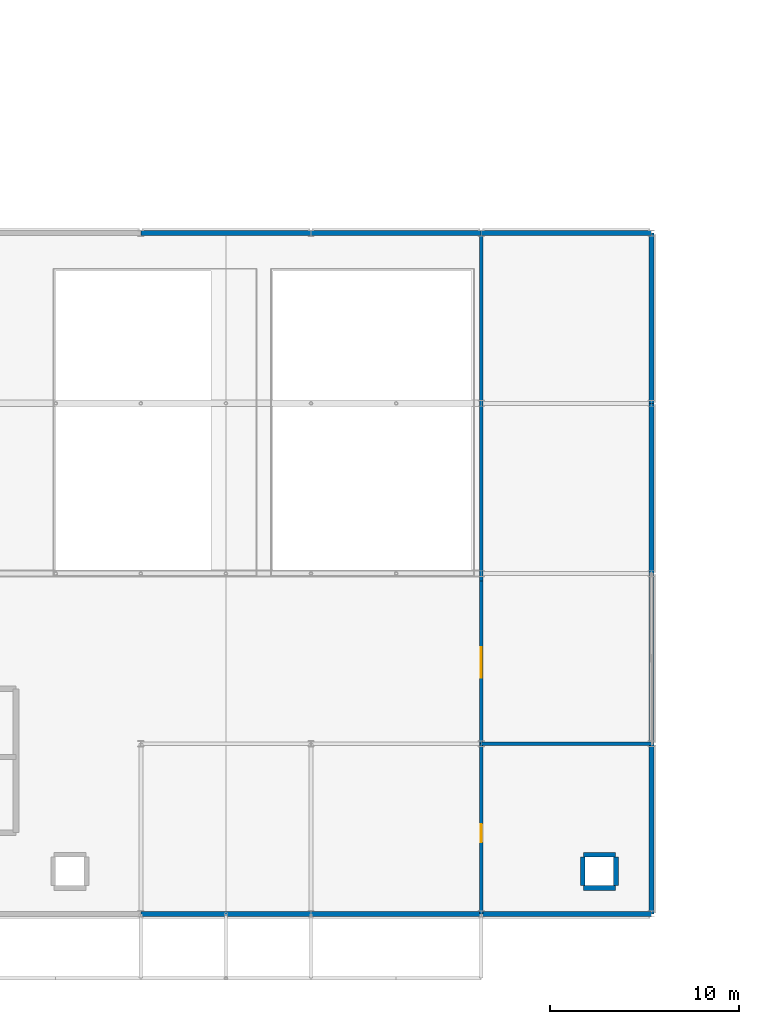
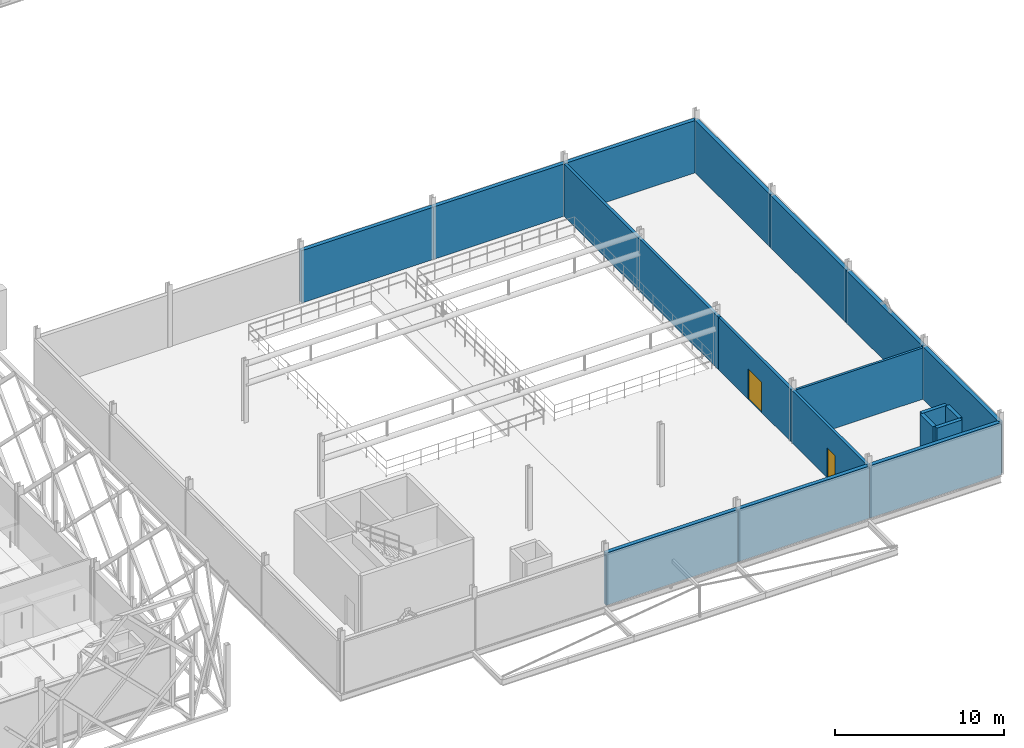
# One storey, part 93 of 140: 18 walls, 2 doors, 2 openings.
"""IFC4 building model written with IfcOpenShell, lengths in metres."""

from ifc_helpers import new_model, si_unit, direction, frame, frame_2d, origin, place, context, subcontext, project, spatial, rectangle, extrude, material, layer, layer_set, type_object, element, fill, save


model = new_model("IFC4")

# Units and contexts
model_context = context("Model", 3, precision=1e-05, world=origin(), true_north=direction((0.0, 1.0)))
body_context = subcontext(model_context, "Body", "Model", "MODEL_VIEW")
ifc_project = project(units=[si_unit("LENGTHUNIT", "METRE"), si_unit("AREAUNIT", "SQUARE_METRE"), si_unit("VOLUMEUNIT", "CUBIC_METRE"), si_unit("PLANEANGLEUNIT", "RADIAN"), si_unit("MASSUNIT", "GRAM", prefix="KILO"), si_unit("THERMODYNAMICTEMPERATUREUNIT", "KELVIN"), si_unit("POWERUNIT", "WATT")], contexts=[model_context])

# Site, building, storey
site_placement = place(None, origin())
site = spatial("IfcSite", under=ifc_project, at=site_placement, CompositionType="ELEMENT")
building_placement = place(site_placement, origin())
building = spatial("IfcBuilding", under=site, at=building_placement, Name="Tallowbark Science Centre", CompositionType="ELEMENT")
storey_placement = place(building_placement, frame((0.0, 0.0, 9.89990234375)))
storey = spatial("IfcBuildingStorey", under=building, at=storey_placement, Name="L02", CompositionType="ELEMENT", Elevation=9.89990234375)

# Walls
ifc_material_1 = material(Name="Insulated Ribbed Precast Concrete Panel Grade N40 (40 MPa)", Category="concrete")
ifc_layer_1 = layer(ifc_material_1, 0.264892578125)
ifc_layer_set_1 = layer_set([ifc_layer_1], Name="Insulated Ribbed Precast Concrete Panel Grade N40 (40 MPa)")
wall_type_1 = type_object("IfcWallType", Name="EWL-PRC-265", PredefinedType="STANDARD", material=ifc_layer_set_1)
for number, where, z_axis, x_axis, name in (
    (1, (130.5, 0.0, 0.0), (0.0, 0.0, 1.0), (1.0, 0.0, 0.0), "Exterior Wall THT-S-L02-2"),
    (2, (139.5, 36.0, 0.0), (0.0, 0.0, 1.0), (-1.0, 0.0, 0.0), "Exterior Wall THT-N-L02-2"),
    (3, (139.5, 0.0, 0.0), (0.0, 0.0, 1.0), (1.0, 0.0, 0.0), "Exterior Wall THT-S-L02-3"),
    (4, (148.5, 36.0, 0.0), (0.0, 0.0, 1.0), (-1.0, 0.0, 0.0), "Exterior Wall THT-N-L02-3"),
    (5, (148.5, 0.0, 0.0), (0.0, 0.0, 1.0), (1.0, 0.0, 0.0), "Exterior Wall THT-S-L02-4"),
    (6, (157.5, 36.0, 0.0), (0.0, 0.0, 1.0), (-1.0, 0.0, 0.0), "Exterior Wall THT-N-L02-4"),
    (7, (157.5, 0.0, 0.0), (0.0, 0.0, 1.0), (0.0, 1.0, 0.0), "Exterior Wall THT-E-L02-0"),
    (8, (157.5, 9.0, 0.0), (0.0, 0.0, 1.0), (0.0, 1.0, 0.0), "Exterior Wall THT-E-L02-1"),
    (9, (157.5, 18.0, 0.0), (0.0, 0.0, 1.0), (0.0, 1.0, 0.0), "Exterior Wall THT-E-L02-2"),
    (10, (157.5, 27.0, 0.0), (0.0, 0.0, 1.0), (0.0, 1.0, 0.0), "Exterior Wall THT-E-L02-3"),
):
    element("IfcWall", number, at=place(storey_placement, frame(where, z_axis=z_axis, x_axis=x_axis)), inside=storey, type_object=wall_type_1, Name=name, PredefinedType="STANDARD", context=body_context, shape_type="SweptSolid", body=[
        extrude(rectangle(XDim=9.0, YDim=0.264892578125, at=frame_2d((4.5, 0.0))), origin(), (0.0, 0.0, 1.0), 3.78125),
    ])
ifc_material_2 = material(Name="162 mm Double-Stud Fire-Rated Corridor Partition")
ifc_layer_2 = layer(ifc_material_2, 0.162109375)
ifc_layer_set_2 = layer_set([ifc_layer_2], Name="162 mm Double-Stud Fire-Rated Corridor Partition")
wall_type_2 = type_object("IfcWallType", Name="PTW-162", PredefinedType="PARTITIONING", material=ifc_layer_set_2)
wall_1_placement = place(storey_placement, frame((148.5, 9.0, 0.0), z_axis=(0.0, 0.0, 1.0), x_axis=(1.0, 0.0, 0.0)))
element("IfcWall", 11, at=wall_1_placement, inside=storey, type_object=wall_type_2, Name="Interior Partition PTW-L02-0223", PredefinedType="PARTITIONING", context=body_context, shape_type="SweptSolid", body=[
    extrude(rectangle(XDim=9.0, YDim=0.162109375, at=frame_2d((4.5, 0.0))), origin(), (0.0, 0.0, 1.0), 3.7021484375),
])

# Wall, opening, door
ifc_material_3 = material(Name="190 mm Acoustic Auditorium Double-Stud Partition")
ifc_layer_3 = layer(ifc_material_3, 0.18994140625)
ifc_layer_set_3 = layer_set([ifc_layer_3], Name="190 mm Acoustic Auditorium Double-Stud Partition")
wall_type_3 = type_object("IfcWallType", Name="PTW-190", PredefinedType="PARTITIONING", material=ifc_layer_set_3)
wall_2_placement = place(storey_placement, frame((148.5, 0.0, 0.0), z_axis=(0.0, 0.0, 1.0), x_axis=(0.0, 1.0, 0.0)))
wall_2 = element("IfcWall", 12, at=wall_2_placement, inside=storey, type_object=wall_type_3, Name="Interior Partition PTW-L02-0220", PredefinedType="PARTITIONING", context=body_context, shape_type="SweptSolid", body=[
    extrude(rectangle(XDim=9.0, YDim=0.18994140625, at=frame_2d((4.5, 0.0))), origin(), (0.0, 0.0, 1.0), 3.78125),
])
opening_1_placement = place(wall_2_placement, frame((3.800048828125, 0.0, 0.0)))
opening_1 = element("IfcOpeningElement", 13, at=opening_1_placement, cuts=wall_2, Name="Opening ID-04", PredefinedType="OPENING", context=body_context, shape_type="SweptSolid", body=[
    extrude(rectangle(XDim=0.949951171875, YDim=2.14990234375, at=frame_2d((0.47509765625, 1.074951171875))), frame((0.0, 0.10498046875, 0.0), z_axis=(0.0, -1.0, 0.0), x_axis=(1.0, 0.0, 0.0)), (0.0, 0.0, 1.0), 0.2099609375),
])
ifc_material_4 = material(Name="Solid-Core Timber Veneer Leaf", Category="wood")
door_type_1 = type_object("IfcDoorType", Name="IDR-OFF-095", OperationType="NOTDEFINED", PredefinedType="DOOR", material=ifc_material_4)
door_1_placement = place(opening_1_placement, origin())
door_1 = element("IfcDoor", 14, at=door_1_placement, inside=storey, type_object=door_type_1, Name="Interior Door IDR-L02-0093", OperationType="SINGLE_SWING_LEFT", OverallHeight=2.14990234375, OverallWidth=0.949951171875, PredefinedType="DOOR", context=body_context, shape_type="SweptSolid", body=[
    extrude(rectangle(XDim=0.949951171875, YDim=2.14990234375, at=frame_2d((0.47509765625, 1.074951171875))), frame((0.0, 0.02490234375, 0.0), z_axis=(0.0, -1.0, 0.0), x_axis=(1.0, 0.0, 0.0)), (0.0, 0.0, 1.0), 0.050048828125),
])
fill(opening_1, door_1)

wall_3_placement = place(storey_placement, frame((148.5, 9.0, 0.0), z_axis=(0.0, 0.0, 1.0), x_axis=(0.0, 1.0, 0.0)))
wall_3 = element("IfcWall", 15, at=wall_3_placement, inside=storey, type_object=wall_type_3, Name="Interior Partition PTW-L02-0221", PredefinedType="PARTITIONING", context=body_context, shape_type="SweptSolid", body=[
    extrude(rectangle(XDim=8.60009765625, YDim=0.18994140625, at=frame_2d((4.300048828125, 0.0))), origin(), (0.0, 0.0, 1.0), 3.78125),
])
opening_2_placement = place(wall_3_placement, frame((3.5, 0.0, 0.0)))
opening_2 = element("IfcOpeningElement", 16, at=opening_2_placement, cuts=wall_3, Name="Opening FD-03", PredefinedType="OPENING", context=body_context, shape_type="SweptSolid", body=[
    extrude(rectangle(XDim=1.60009765625, YDim=2.199951171875, at=frame_2d((0.800048828125, 1.10009765625))), frame((0.0, 0.10498046875, 0.0), z_axis=(0.0, -1.0, 0.0), x_axis=(1.0, 0.0, 0.0)), (0.0, 0.0, 1.0), 0.2099609375),
])
ifc_material_5 = material(Name="Fire-Rated Acoustic Plant Pair")
door_type_2 = type_object("IfcDoorType", Name="FDR-PLT-160", OperationType="DOUBLE_DOOR_SINGLE_SWING", PredefinedType="DOOR", material=ifc_material_5)
door_2_placement = place(opening_2_placement, origin())
door_2 = element("IfcDoor", 17, at=door_2_placement, inside=storey, type_object=door_type_2, Name="Interior Door IDR-L02-0094", OperationType="DOUBLE_DOOR_SINGLE_SWING", OverallHeight=2.199951171875, OverallWidth=1.60009765625, PredefinedType="DOOR", context=body_context, shape_type="SweptSolid", body=[
    extrude(rectangle(XDim=1.60009765625, YDim=2.199951171875, at=frame_2d((0.800048828125, 1.10009765625))), frame((0.0, 0.02490234375, 0.0), z_axis=(0.0, -1.0, 0.0), x_axis=(1.0, 0.0, 0.0)), (0.0, 0.0, 1.0), 0.050048828125),
])
fill(opening_2, door_2)

# Walls
wall_4_placement = place(storey_placement, frame((148.5, 17.60009765625, 0.0), z_axis=(0.0, 0.0, 1.0), x_axis=(0.0, 1.0, 0.0)))
element("IfcWall", 18, at=wall_4_placement, inside=storey, type_object=wall_type_3, Name="Interior Partition PTW-L02-0222", PredefinedType="PARTITIONING", context=body_context, shape_type="SweptSolid", body=[
    extrude(rectangle(XDim=18.39990234375, YDim=0.18994140625, at=frame_2d((9.199951171875, 0.0))), origin(), (0.0, 0.0, 1.0), 3.78125),
])
ifc_material_6 = material(Name="Concrete Grade N40 (40 MPa)", Category="concrete")
ifc_layer_4 = layer(ifc_material_6, 0.25)
ifc_layer_set_4 = layer_set([ifc_layer_4], Name="Concrete Grade N40 (40 MPa)")
wall_type_4 = type_object("IfcWallType", Name="WL-SHAFT-250", PredefinedType="SHEAR", material=ifc_layer_set_4)
for number, where, z_axis, x_axis, name in (
    (19, (153.89990234375, 1.375, 0.0), (0.0, 0.0, 1.0), (1.0, 0.0, 0.0), "Service Riser Shaft Wall RSR-THT-E L02 S"),
    (20, (153.89990234375, 3.125, 0.0), (0.0, 0.0, 1.0), (1.0, 0.0, 0.0), "Service Riser Shaft Wall RSR-THT-E L02 N"),
):
    element("IfcWall", number, at=place(storey_placement, frame(where, z_axis=z_axis, x_axis=x_axis)), inside=storey, type_object=wall_type_4, Name=name, PredefinedType="SHEAR", context=body_context, shape_type="SweptSolid", body=[
        extrude(rectangle(XDim=1.7001953125, YDim=0.25, at=frame_2d((0.85009765625, 0.0))), origin(), (0.0, 0.0, 1.0), 3.77001953125),
    ])
for number, where, z_axis, x_axis, name in (
    (21, (153.875, 1.5, 0.0), (0.0, 0.0, 1.0), (0.0, 1.0, 0.0), "Service Riser Shaft Wall RSR-THT-E L02 W"),
    (22, (155.625, 1.5, 0.0), (0.0, 0.0, 1.0), (0.0, 1.0, 0.0), "Service Riser Shaft Wall RSR-THT-E L02 E"),
):
    element("IfcWall", number, at=place(storey_placement, frame(where, z_axis=z_axis, x_axis=x_axis)), inside=storey, type_object=wall_type_4, Name=name, PredefinedType="SHEAR", context=body_context, shape_type="SweptSolid", body=[
        extrude(rectangle(XDim=1.5, YDim=0.25, at=frame_2d((0.75, 0.0))), origin(), (0.0, 0.0, 1.0), 3.77001953125),
    ])

save(model, "model.ifc")
